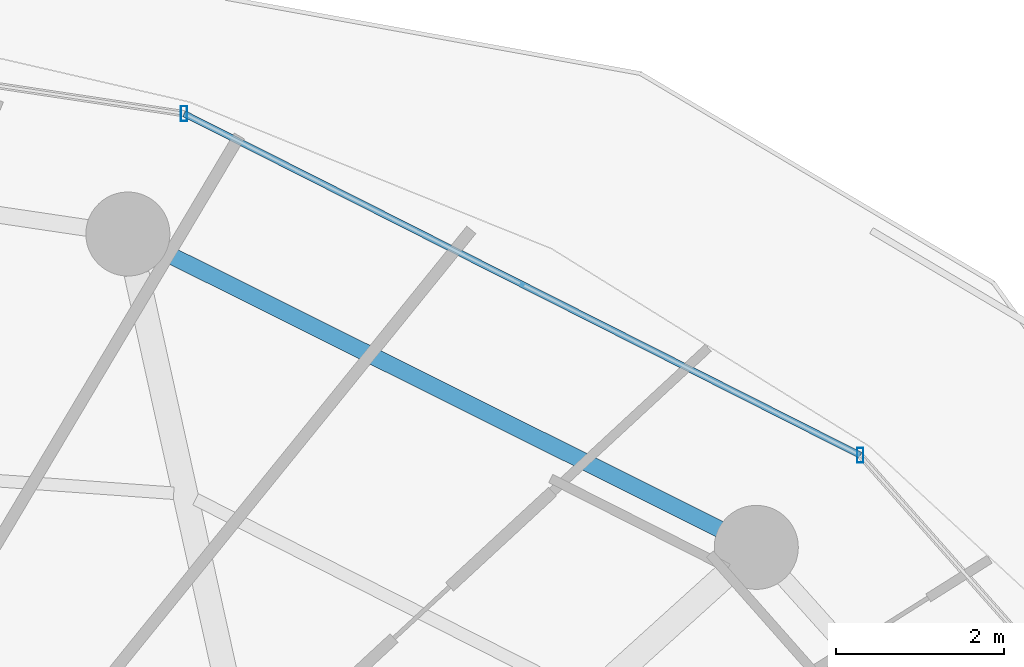
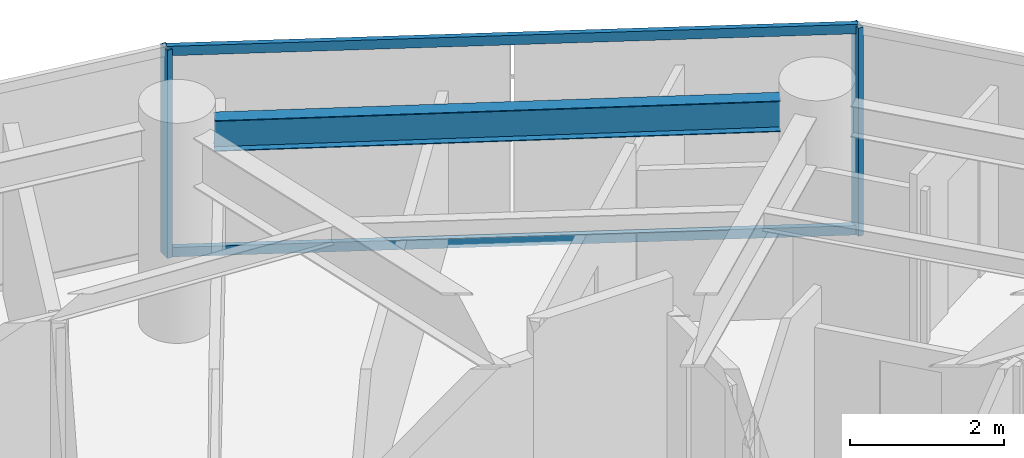
# One storey, part 18 of 28: 4 members, 1 beam, 1 element without a shape of its own.
"""IFC4 building model written with IfcOpenShell, lengths in metres."""

from ifc_helpers import new_model, si_unit, direction, frame, origin, origin_2d, place, context, subcontext, project, spatial, hollow_rectangle, i_section, extrude, material, material_profile, profile_set, type_object, element, aggregate, save


model = new_model("IFC4")

# Units and contexts
model_context = context("Model", 3, precision=1e-05, world=origin(), true_north=direction((0.0, 1.0)))
body_context = subcontext(model_context, "Body", "Model", "MODEL_VIEW")
ifc_project = project(units=[si_unit("LENGTHUNIT", "METRE"), si_unit("AREAUNIT", "SQUARE_METRE"), si_unit("VOLUMEUNIT", "CUBIC_METRE"), si_unit("PLANEANGLEUNIT", "RADIAN"), si_unit("MASSUNIT", "GRAM", prefix="KILO")], contexts=[model_context])

# Site, building, storey
site_placement = place(None, origin())
site = spatial("IfcSite", under=ifc_project, at=site_placement, CompositionType="ELEMENT")
building_placement = place(site_placement, origin())
building = spatial("IfcBuilding", under=site, at=building_placement, Name="Vorneva Point Tower", CompositionType="ELEMENT")
storey_placement = place(building_placement, frame((0.0, 0.0, 143.10009765625)))
storey = spatial("IfcBuildingStorey", under=building, at=storey_placement, Name="L38", CompositionType="ELEMENT", Elevation=143.10009765625)

# Beam
ifc_material_1 = material(Name="Steel S355", Category="steel")
ifc_material_profile_1 = material_profile(ifc_material_1, i_section(OverallWidth=0.199951171875, OverallDepth=0.491943359375, WebThickness=0.0087890625, FlangeThickness=0.011962890625, at=origin_2d()), Name="50B1")
ifc_profile_set_1 = profile_set([ifc_material_profile_1], Name="Steel S355")
beam_type = type_object("IfcBeamType", Name="BM-SPN-50B1", PredefinedType="SPANDREL", material=ifc_profile_set_1)
beam_placement = place(storey_placement, frame((53.86474609375, 38.378662109375, 2.993896484375), z_axis=(-0.894929061397, 0.446208443518, 0.0), x_axis=(-0.446208443518, -0.894929061397, 0.0)))
element("IfcBeam", 1, at=beam_placement, inside=storey, type_object=beam_type, Name="L38 Perimeter Spandrel Ring Beam 03", PredefinedType="SPANDREL", context=body_context, shape_type="SweptSolid", body=[
    extrude(i_section(OverallWidth=0.199951171875, OverallDepth=0.491943359375, WebThickness=0.0087890625, FlangeThickness=0.011962890625, at=origin_2d()), origin(), (0.0, 0.0, 1.0), 7.385986328125),
])

# Curtain wall, members
ifc_material_2 = material(Name="Pale anodised aluminium", Category="aluminium")
curtain_wall_type = type_object("IfcCurtainWallType", Name="CW-RES-SYS", PredefinedType="NOTDEFINED", material=ifc_material_2)
curtain_wall_placement = place(storey_placement, origin())
curtain_wall = element("IfcCurtainWall", 2, at=curtain_wall_placement, inside=storey, type_object=curtain_wall_type, Name="L38 Unitised Curtain Wall CW-L38-R01", PredefinedType="NOTDEFINED")
ifc_material_profile_2 = material_profile(ifc_material_2, hollow_rectangle(XDim=0.074951171875, YDim=0.179931640625, WallThickness=0.00390625, at=origin_2d()), Name="AL-MUL 180x75x4")
ifc_profile_set_2 = profile_set([ifc_material_profile_2], Name="Pale anodised aluminium")
member_type_1 = type_object("IfcMemberType", Name="CW-MUL-180", PredefinedType="MULLION", material=ifc_profile_set_2)
member_1_placement = place(storey_placement, frame((55.5361328125, 39.25830078125, -0.0400390625), z_axis=(0.0, 0.0, 1.0), x_axis=(1.0, 0.0, 0.0)))
member_1 = element("IfcMember", 3, at=member_1_placement, type_object=member_type_1, Name="CW-L38-R01 Mullion 02", PredefinedType="MULLION", context=body_context, shape_type="SweptSolid", body=[
    extrude(hollow_rectangle(XDim=0.074951171875, YDim=0.179931640625, WallThickness=0.00390625, at=origin_2d()), origin(), (0.0, 0.0, 1.0), 3.31005859375),
])
member_2_placement = place(storey_placement, frame((47.490478515625, 43.32275390625, -0.0400390625), z_axis=(0.0, 0.0, 1.0), x_axis=(1.0, 0.0, 0.0)))
member_2 = element("IfcMember", 4, at=member_2_placement, type_object=member_type_1, Name="CW-L38-R01 Mullion 03", PredefinedType="MULLION", context=body_context, shape_type="SweptSolid", body=[
    extrude(hollow_rectangle(XDim=0.074951171875, YDim=0.179931640625, WallThickness=0.00390625, at=origin_2d()), origin(), (0.0, 0.0, 1.0), 3.31005859375),
])
ifc_material_profile_3 = material_profile(ifc_material_2, hollow_rectangle(XDim=0.074951171875, YDim=0.14990234375, WallThickness=0.00390625, at=origin_2d()), Name="AL-TRN 150x75x4")
ifc_profile_set_3 = profile_set([ifc_material_profile_3], Name="Pale anodised aluminium")
member_type_2 = type_object("IfcMemberType", Name="CW-TRN-150", PredefinedType="USERDEFINED", material=ifc_profile_set_3)
member_3_placement = place(storey_placement, frame((55.5361328125, 39.25830078125, 0.02001953125), z_axis=(-0.892572392955, 0.450904117673, 0.0), x_axis=(-0.450904117673, -0.892572392955, 0.0)))
member_3 = element("IfcMember", 5, at=member_3_placement, type_object=member_type_2, Name="CW-L38-R01 Transom 02.1", ObjectType="TRANSOM", PredefinedType="USERDEFINED", context=body_context, shape_type="SweptSolid", body=[
    extrude(hollow_rectangle(XDim=0.074951171875, YDim=0.14990234375, WallThickness=0.00390625, at=origin_2d()), origin(), (0.0, 0.0, 1.0), 9.013916015625),
])
member_4_placement = place(storey_placement, frame((55.5361328125, 39.25830078125, 3.219970703125), z_axis=(-0.892572392955, 0.450904117673, 0.0), x_axis=(-0.450904117673, -0.892572392955, 0.0)))
member_4 = element("IfcMember", 6, at=member_4_placement, type_object=member_type_2, Name="CW-L38-R01 Transom 02.2", ObjectType="TRANSOM", PredefinedType="USERDEFINED", context=body_context, shape_type="SweptSolid", body=[
    extrude(hollow_rectangle(XDim=0.074951171875, YDim=0.14990234375, WallThickness=0.00390625, at=origin_2d()), origin(), (0.0, 0.0, 1.0), 9.013916015625),
])
aggregate(curtain_wall, [member_1, member_2, member_3, member_4])

save(model, "model.ifc")
